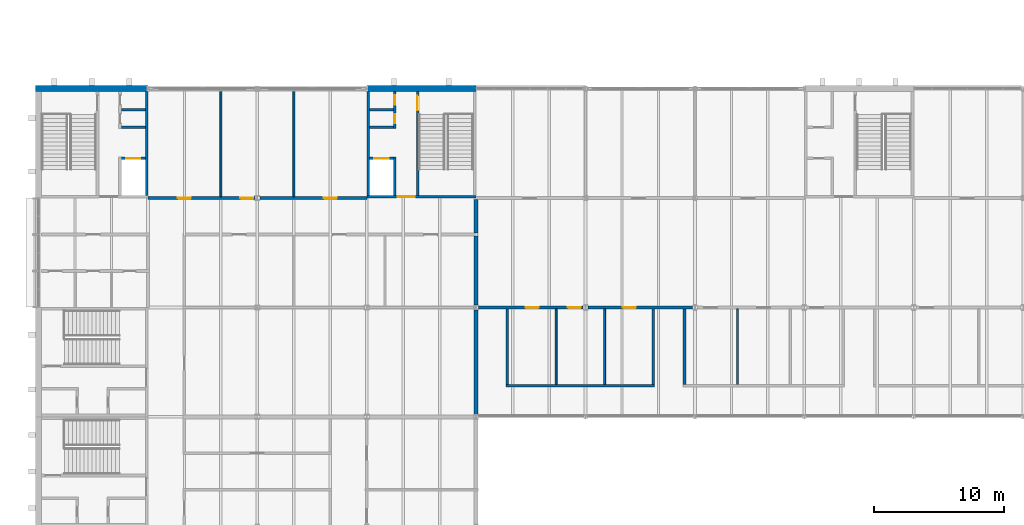
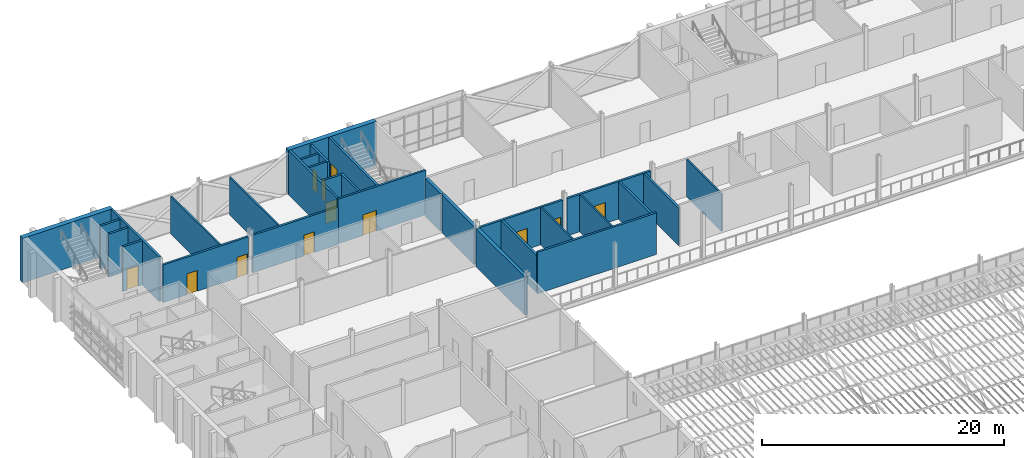
# One storey, part 91 of 129: 30 walls, 12 doors, 12 openings.
"""IFC4 building model written with IfcOpenShell, lengths in metres."""

from ifc_helpers import new_model, si_unit, direction, frame, frame_2d, origin, place, context, subcontext, project, spatial, rectangle, extrude, material, layer, layer_set, type_object, element, fill, save


model = new_model("IFC4")

# Units and contexts
model_context = context("Model", 3, precision=1e-05, world=origin(), true_north=direction((0.0, 1.0)))
body_context = subcontext(model_context, "Body", "Model", "MODEL_VIEW")
ifc_project = project(units=[si_unit("LENGTHUNIT", "METRE"), si_unit("AREAUNIT", "SQUARE_METRE"), si_unit("VOLUMEUNIT", "CUBIC_METRE"), si_unit("PLANEANGLEUNIT", "RADIAN"), si_unit("MASSUNIT", "GRAM", prefix="KILO")], contexts=[model_context])

# Site, building, storey
site_placement = place(None, origin())
site = spatial("IfcSite", under=ifc_project, at=site_placement, CompositionType="ELEMENT")
building_placement = place(site_placement, origin())
building = spatial("IfcBuilding", under=site, at=building_placement, Name="Ardhachandra Cancer Care Centre", CompositionType="ELEMENT")
storey_placement = place(building_placement, frame((0.0, 0.0, 4.5)))
storey = spatial("IfcBuildingStorey", under=building, at=storey_placement, Name="L01", CompositionType="ELEMENT", Elevation=4.5)

# Walls
ifc_material_1 = material(Name="Brick masonry", Category="masonry")
ifc_layer_1 = layer(ifc_material_1, 0.300048828125)
ifc_layer_set_1 = layer_set([ifc_layer_1], Name="Brick masonry")
wall_type_1 = type_object("IfcWallType", Name="COMPARTMENT WALL 300", PredefinedType="SOLIDWALL", material=ifc_layer_set_1)
wall_1_placement = place(storey_placement, frame((44.39990234375, 71.595458984375, 0.0), z_axis=(0.0, 0.0, 1.0), x_axis=(0.0, 1.0, 0.0)))
element("IfcWall", 1, at=wall_1_placement, inside=storey, type_object=wall_type_1, Name="R/wall/L01/v0044400_0071596", PredefinedType="SOLIDWALL", context=body_context, shape_type="SweptSolid", body=[
    extrude(rectangle(XDim=8.009033203125, YDim=0.300048828125, at=frame_2d((4.00439453125, 0.0))), origin(), (0.0, 0.0, 1.0), 3.85009765625),
])
wall_2_placement = place(storey_placement, frame((44.39990234375, 79.99560546875, 0.0), z_axis=(0.0, 0.0, 1.0), x_axis=(0.0, 1.0, 0.0)))
element("IfcWall", 2, at=wall_2_placement, inside=storey, type_object=wall_type_1, Name="R/wall/L01/v0044400_0079996", PredefinedType="SOLIDWALL", context=body_context, shape_type="SweptSolid", body=[
    extrude(rectangle(XDim=5.304443359375, YDim=0.300048828125, at=frame_2d((2.65234375, 0.0))), origin(), (0.0, 0.0, 1.0), 3.85009765625),
])
wall_3_placement = place(storey_placement, frame((44.39990234375, 85.5, 0.0), z_axis=(0.0, 0.0, 1.0), x_axis=(0.0, 1.0, 0.0)))
element("IfcWall", 3, at=wall_3_placement, inside=storey, type_object=wall_type_1, Name="R/wall/L01/v0044400_0085500", PredefinedType="SOLIDWALL", context=body_context, shape_type="SweptSolid", body=[
    extrude(rectangle(XDim=2.60009765625, YDim=0.300048828125, at=frame_2d((1.300048828125, 0.0))), origin(), (0.0, 0.0, 1.0), 3.800048828125),
])
ifc_material_2 = material(Name="Gypsum board corridor partition on steel studs", Category="steel")
ifc_layer_2 = layer(ifc_material_2, 0.199951171875)
ifc_layer_set_2 = layer_set([ifc_layer_2], Name="Gypsum board corridor partition on steel studs")
wall_type_2 = type_object("IfcWallType", Name="CORRIDOR WALL 200", PredefinedType="PARTITIONING", material=ifc_layer_set_2)
wall_4_placement = place(storey_placement, frame((46.699951171875, 73.800048828125, 0.0), z_axis=(0.0, 0.0, 1.0), x_axis=(1.0, 0.0, 0.0)))
element("IfcWall", 4, at=wall_4_placement, inside=storey, type_object=wall_type_2, Name="R/wall/L01/h0073800_0046700", PredefinedType="PARTITIONING", context=body_context, shape_type="SweptSolid", body=[
    extrude(rectangle(XDim=11.400146484375, YDim=0.199951171875, at=frame_2d((5.7001953125, 0.0))), origin(), (0.0, 0.0, 1.0), 4.199951171875),
])

# Wall, openings, doors
wall_5_placement = place(storey_placement, frame((44.595458984375, 79.800048828125, 0.0), z_axis=(0.0, 0.0, 1.0), x_axis=(1.0, 0.0, 0.0)))
wall_5 = element("IfcWall", 5, at=wall_5_placement, inside=storey, type_object=wall_type_2, Name="R/wall/L01/h0079800_0044596", PredefinedType="PARTITIONING", context=body_context, shape_type="SweptSolid", body=[
    extrude(rectangle(XDim=8.004638671875, YDim=0.199951171875, at=frame_2d((4.00244140625, 0.0))), origin(), (0.0, 0.0, 1.0), 3.780517578125),
])
opening_1_placement = place(wall_5_placement, frame((3.6044921875, 0.0, 0.0)))
opening_1 = element("IfcOpeningElement", 6, at=opening_1_placement, cuts=wall_5, Name="Opening L01-0009", PredefinedType="OPENING", context=body_context, shape_type="SweptSolid", body=[
    extrude(rectangle(XDim=1.0, YDim=2.10009765625, at=frame_2d((0.5, 1.050048828125))), frame((0.0, 0.10986328125, 0.0), z_axis=(0.0, -1.0, 0.0), x_axis=(1.0, 0.0, 0.0)), (0.0, 0.0, 1.0), 0.219970703125),
])
opening_2_placement = place(wall_5_placement, frame((6.837890625, 0.0, 0.0)))
opening_2 = element("IfcOpeningElement", 7, at=opening_2_placement, cuts=wall_5, Name="Opening L01-0010", PredefinedType="OPENING", context=body_context, shape_type="SweptSolid", body=[
    extrude(rectangle(XDim=1.0, YDim=2.10009765625, at=frame_2d((0.5, 1.050048828125))), frame((0.0, 0.10986328125, 0.0), z_axis=(0.0, -1.0, 0.0), x_axis=(1.0, 0.0, 0.0)), (0.0, 0.0, 1.0), 0.219970703125),
])
ifc_material_3 = material(Name="Timber fire door with smoke seals", Category="wood")
door_type_1 = type_object("IfcDoorType", Name="FIRE DOOR SINGLE 1000x2100 FD30S", OperationType="NOTDEFINED", PredefinedType="DOOR", material=ifc_material_3)
door_1_placement = place(opening_1_placement, origin())
door_1 = element("IfcDoor", 8, at=door_1_placement, inside=storey, type_object=door_type_1, Name="Door L01-0009", OperationType="SINGLE_SWING_LEFT", OverallHeight=2.10009765625, OverallWidth=1.0, PredefinedType="DOOR", context=body_context, shape_type="SweptSolid", body=[
    extrude(rectangle(XDim=1.0, YDim=2.10009765625, at=frame_2d((0.5, 1.050048828125))), frame((0.0, 0.02490234375, 0.0), z_axis=(0.0, -1.0, 0.0), x_axis=(1.0, 0.0, 0.0)), (0.0, 0.0, 1.0), 0.050048828125),
])
fill(opening_1, door_1)
door_2_placement = place(opening_2_placement, origin())
door_2 = element("IfcDoor", 9, at=door_2_placement, inside=storey, type_object=door_type_1, Name="Door L01-0010", OperationType="SINGLE_SWING_LEFT", OverallHeight=2.10009765625, OverallWidth=1.0, PredefinedType="DOOR", context=body_context, shape_type="SweptSolid", body=[
    extrude(rectangle(XDim=1.0, YDim=2.10009765625, at=frame_2d((0.5, 1.050048828125))), frame((0.0, 0.02490234375, 0.0), z_axis=(0.0, -1.0, 0.0), x_axis=(1.0, 0.0, 0.0)), (0.0, 0.0, 1.0), 0.050048828125),
])
fill(opening_2, door_2)

# Wall, opening, door
wall_6_placement = place(storey_placement, frame((53.0, 79.800048828125, 0.0), z_axis=(0.0, 0.0, 1.0), x_axis=(1.0, 0.0, 0.0)))
wall_6 = element("IfcWall", 10, at=wall_6_placement, inside=storey, type_object=wall_type_2, Name="R/wall/L01/h0079800_0053000", PredefinedType="PARTITIONING", context=body_context, shape_type="SweptSolid", body=[
    extrude(rectangle(XDim=8.0, YDim=0.199951171875, at=frame_2d((4.0, 0.0))), origin(), (0.0, 0.0, 1.0), 3.780517578125),
])
opening_3_placement = place(wall_6_placement, frame((2.666748046875, 0.0, 0.0)))
opening_3 = element("IfcOpeningElement", 11, at=opening_3_placement, cuts=wall_6, Name="Opening L01-0011", PredefinedType="OPENING", context=body_context, shape_type="SweptSolid", body=[
    extrude(rectangle(XDim=1.0, YDim=2.10009765625, at=frame_2d((0.5, 1.050048828125))), frame((0.0, 0.10986328125, 0.0), z_axis=(0.0, -1.0, 0.0), x_axis=(1.0, 0.0, 0.0)), (0.0, 0.0, 1.0), 0.219970703125),
])
door_3_placement = place(opening_3_placement, origin())
door_3 = element("IfcDoor", 12, at=door_3_placement, inside=storey, type_object=door_type_1, Name="Door L01-0011", OperationType="SINGLE_SWING_LEFT", OverallHeight=2.10009765625, OverallWidth=1.0, PredefinedType="DOOR", context=body_context, shape_type="SweptSolid", body=[
    extrude(rectangle(XDim=1.0, YDim=2.10009765625, at=frame_2d((0.5, 1.050048828125))), frame((0.0, 0.02490234375, 0.0), z_axis=(0.0, -1.0, 0.0), x_axis=(1.0, 0.0, 0.0)), (0.0, 0.0, 1.0), 0.050048828125),
])
fill(opening_3, door_3)

# Wall, openings, doors
wall_7_placement = place(storey_placement, frame((19.199951171875, 88.199951171875, 0.0), z_axis=(0.0, 0.0, 1.0), x_axis=(1.0, 0.0, 0.0)))
wall_7 = element("IfcWall", 13, at=wall_7_placement, inside=storey, type_object=wall_type_2, Name="R/wall/L01/h0088200_0019200", PredefinedType="PARTITIONING", context=body_context, shape_type="SweptSolid", body=[
    extrude(rectangle(XDim=8.20458984375, YDim=0.199951171875, at=frame_2d((4.102294921875, 0.0))), origin(), (0.0, 0.0, 1.0), 3.800048828125),
])
opening_4_placement = place(wall_7_placement, frame((2.300048828125, 0.0, 0.0)))
opening_4 = element("IfcOpeningElement", 14, at=opening_4_placement, cuts=wall_7, Name="Opening L01-0026", PredefinedType="OPENING", context=body_context, shape_type="SweptSolid", body=[
    extrude(rectangle(XDim=1.0, YDim=2.10009765625, at=frame_2d((0.5, 1.050048828125))), frame((0.0, 0.10986328125, 0.0), z_axis=(0.0, -1.0, 0.0), x_axis=(1.0, 0.0, 0.0)), (0.0, 0.0, 1.0), 0.219970703125),
])
opening_5_placement = place(wall_7_placement, frame((7.10009765625, 0.0, 0.0)))
opening_5 = element("IfcOpeningElement", 15, at=opening_5_placement, cuts=wall_7, Name="Opening L01-0027", PredefinedType="OPENING", context=body_context, shape_type="SweptSolid", body=[
    extrude(rectangle(XDim=1.0, YDim=2.10009765625, at=frame_2d((0.5, 1.050048828125))), frame((0.0, 0.10986328125, 0.0), z_axis=(0.0, -1.0, 0.0), x_axis=(1.0, 0.0, 0.0)), (0.0, 0.0, 1.0), 0.219970703125),
])
door_4_placement = place(opening_4_placement, origin())
door_4 = element("IfcDoor", 16, at=door_4_placement, inside=storey, type_object=door_type_1, Name="Door L01-0026", OperationType="SINGLE_SWING_RIGHT", OverallHeight=2.10009765625, OverallWidth=1.0, PredefinedType="DOOR", context=body_context, shape_type="SweptSolid", body=[
    extrude(rectangle(XDim=1.0, YDim=2.10009765625, at=frame_2d((0.5, 1.050048828125))), frame((0.0, 0.02490234375, 0.0), z_axis=(0.0, -1.0, 0.0), x_axis=(1.0, 0.0, 0.0)), (0.0, 0.0, 1.0), 0.050048828125),
])
fill(opening_4, door_4)
door_5_placement = place(opening_5_placement, origin())
door_5 = element("IfcDoor", 17, at=door_5_placement, inside=storey, type_object=door_type_1, Name="Door L01-0027", OperationType="SINGLE_SWING_RIGHT", OverallHeight=2.10009765625, OverallWidth=1.0, PredefinedType="DOOR", context=body_context, shape_type="SweptSolid", body=[
    extrude(rectangle(XDim=1.0, YDim=2.10009765625, at=frame_2d((0.5, 1.050048828125))), frame((0.0, 0.02490234375, 0.0), z_axis=(0.0, -1.0, 0.0), x_axis=(1.0, 0.0, 0.0)), (0.0, 0.0, 1.0), 0.050048828125),
])
fill(opening_5, door_5)

# Wall, opening, door
wall_8_placement = place(storey_placement, frame((27.79541015625, 88.199951171875, 0.0), z_axis=(0.0, 0.0, 1.0), x_axis=(1.0, 0.0, 0.0)))
wall_8 = element("IfcWall", 18, at=wall_8_placement, inside=storey, type_object=wall_type_2, Name="R/wall/L01/h0088200_0027796", PredefinedType="PARTITIONING", context=body_context, shape_type="SweptSolid", body=[
    extrude(rectangle(XDim=8.20458984375, YDim=0.199951171875, at=frame_2d((4.102294921875, 0.0))), origin(), (0.0, 0.0, 1.0), 3.800048828125),
])
opening_6_placement = place(wall_8_placement, frame((4.904541015625, 0.0, 0.0)))
opening_6 = element("IfcOpeningElement", 19, at=opening_6_placement, cuts=wall_8, Name="Opening L01-0028", PredefinedType="OPENING", context=body_context, shape_type="SweptSolid", body=[
    extrude(rectangle(XDim=1.0, YDim=2.10009765625, at=frame_2d((0.5, 1.050048828125))), frame((0.0, 0.10986328125, 0.0), z_axis=(0.0, -1.0, 0.0), x_axis=(1.0, 0.0, 0.0)), (0.0, 0.0, 1.0), 0.219970703125),
])
door_6_placement = place(opening_6_placement, origin())
door_6 = element("IfcDoor", 20, at=door_6_placement, inside=storey, type_object=door_type_1, Name="Door L01-0028", OperationType="SINGLE_SWING_LEFT", OverallHeight=2.10009765625, OverallWidth=1.0, PredefinedType="DOOR", context=body_context, shape_type="SweptSolid", body=[
    extrude(rectangle(XDim=1.0, YDim=2.10009765625, at=frame_2d((0.5, 1.050048828125))), frame((0.0, 0.02490234375, 0.0), z_axis=(0.0, -1.0, 0.0), x_axis=(1.0, 0.0, 0.0)), (0.0, 0.0, 1.0), 0.050048828125),
])
fill(opening_6, door_6)

# Walls
for number, where, z_axis, x_axis, name in (
    (21, (46.800048828125, 73.89990234375, 0.0), (0.0, 0.0, 1.0), (0.0, 1.0, 0.0), "R/wall/L01/v0046800_0073900"),
    (22, (58.0, 73.89990234375, 0.0), (0.0, 0.0, 1.0), (0.0, 1.0, 0.0), "R/wall/L01/v0058000_0073900"),
    (23, (60.39990234375, 73.89990234375, 0.0), (0.0, 0.0, 1.0), (0.0, 1.0, 0.0), "R/wall/L01/v0060400_0073900"),
):
    element("IfcWall", number, at=place(storey_placement, frame(where, z_axis=z_axis, x_axis=x_axis)), inside=storey, type_object=wall_type_2, Name=name, PredefinedType="PARTITIONING", context=body_context, shape_type="SweptSolid", body=[
        extrude(rectangle(XDim=5.800048828125, YDim=0.199951171875, at=frame_2d((2.89990234375, 0.0))), origin(), (0.0, 0.0, 1.0), 3.780517578125),
    ])
ifc_material_4 = material(Name="Concrete M40", Category="concrete")
ifc_layer_3 = layer(ifc_material_4, 0.449951171875)
ifc_layer_set_3 = layer_set([ifc_layer_3], Name="Concrete M40")
wall_type_3 = type_object("IfcWallType", Name="Core exterior wall RC 450", PredefinedType="SOLIDWALL", material=ifc_layer_set_3)
wall_9_placement = place(storey_placement, frame((10.574951171875, 96.60009765625, 0.0), z_axis=(0.0, 0.0, 1.0), x_axis=(1.0, 0.0, 0.0)))
element("IfcWall", 24, at=wall_9_placement, inside=storey, type_object=wall_type_3, Name="Core wall K4 FAR", PredefinedType="SOLIDWALL", context=body_context, shape_type="SweptSolid", body=[
    extrude(rectangle(XDim=8.625, YDim=0.449951171875, at=frame_2d((4.3125, 0.0))), origin(), (0.0, 0.0, 1.0), 4.5),
])
wall_10_placement = place(storey_placement, frame((44.39990234375, 96.60009765625, 0.0), z_axis=(0.0, 0.0, 1.0), x_axis=(-1.0, 0.0, 0.0)))
element("IfcWall", 25, at=wall_10_placement, inside=storey, type_object=wall_type_3, Name="Core wall K5 FAR", PredefinedType="SOLIDWALL", context=body_context, shape_type="SweptSolid", body=[
    extrude(rectangle(XDim=8.39990234375, YDim=0.449951171875, at=frame_2d((4.199951171875, 0.0))), origin(), (0.0, 0.0, 1.0), 4.5),
])
ifc_material_5 = material(Name="Concrete M40", Category="concrete")
ifc_layer_4 = layer(ifc_material_5, 0.199951171875)
ifc_layer_set_4 = layer_set([ifc_layer_4], Name="Concrete M40")
wall_type_4 = type_object("IfcWallType", Name="Core wall RC 200", PredefinedType="SOLIDWALL", material=ifc_layer_set_4)
wall_11_placement = place(storey_placement, frame((19.10009765625, 88.39990234375, 0.0), z_axis=(0.0, 0.0, 1.0), x_axis=(0.0, 1.0, 0.0)))
element("IfcWall", 26, at=wall_11_placement, inside=storey, type_object=wall_type_4, Name="Core wall K4 UE", PredefinedType="SOLIDWALL", context=body_context, shape_type="SweptSolid", body=[
    extrude(rectangle(XDim=7.97509765625, YDim=0.199951171875, at=frame_2d((3.987548828125, 0.0))), origin(), (0.0, 0.0, 1.0), 4.5),
])

# Wall, opening, door
wall_12_placement = place(storey_placement, frame((17.14990234375, 91.25, 0.0), z_axis=(0.0, 0.0, 1.0), x_axis=(1.0, 0.0, 0.0)))
wall_12 = element("IfcWall", 27, at=wall_12_placement, inside=storey, type_object=wall_type_4, Name="Core wall K4 W1", PredefinedType="SOLIDWALL", context=body_context, shape_type="SweptSolid", body=[
    extrude(rectangle(XDim=1.85009765625, YDim=0.199951171875, at=frame_2d((0.925048828125, 0.0))), origin(), (0.0, 0.0, 1.0), 4.5),
])
opening_7_placement = place(wall_12_placement, frame((0.375, 0.0, 0.0)))
opening_7 = element("IfcOpeningElement", 28, at=opening_7_placement, cuts=wall_12, Name="Opening L01-K04-3", PredefinedType="OPENING", context=body_context, shape_type="SweptSolid", body=[
    extrude(rectangle(XDim=1.10009765625, YDim=2.10009765625, at=frame_2d((0.550048828125, 1.050048828125))), frame((0.0, 0.10986328125, 0.0), z_axis=(0.0, -1.0, 0.0), x_axis=(1.0, 0.0, 0.0)), (0.0, 0.0, 1.0), 0.219970703125),
])
ifc_material_6 = material(Name="Stainless steel (grade 304)", Category="steel")
door_type_2 = type_object("IfcDoorType", Name="Lift landing door 1100x2100", OperationType="DOUBLE_DOOR_SLIDING", PredefinedType="DOOR", material=ifc_material_6)
door_7_placement = place(opening_7_placement, origin())
door_7 = element("IfcDoor", 29, at=door_7_placement, inside=storey, type_object=door_type_2, Name="Lift landing door LF-K4-1", OperationType="DOUBLE_DOOR_SLIDING", OverallHeight=2.10009765625, OverallWidth=1.10009765625, PredefinedType="DOOR", context=body_context, shape_type="SweptSolid", body=[
    extrude(rectangle(XDim=1.10009765625, YDim=2.10009765625, at=frame_2d((0.550048828125, 1.050048828125))), frame((0.0, 0.02490234375, 0.0), z_axis=(0.0, -1.0, 0.0), x_axis=(1.0, 0.0, 0.0)), (0.0, 0.0, 1.0), 0.050048828125),
])
fill(opening_7, door_7)

# Walls
for number, where, z_axis, x_axis, name in (
    (30, (17.14990234375, 93.625, 0.0), (0.0, 0.0, 1.0), (1.0, 0.0, 0.0), "Core wall K4 W2"),
    (31, (17.14990234375, 94.97509765625, 0.0), (0.0, 0.0, 1.0), (1.0, 0.0, 0.0), "Core wall K4 DIV"),
):
    element("IfcWall", number, at=place(storey_placement, frame(where, z_axis=z_axis, x_axis=x_axis)), inside=storey, type_object=wall_type_4, Name=name, PredefinedType="SOLIDWALL", context=body_context, shape_type="SweptSolid", body=[
        extrude(rectangle(XDim=1.85009765625, YDim=0.199951171875, at=frame_2d((0.925048828125, 0.0))), origin(), (0.0, 0.0, 1.0), 4.35009765625),
    ])

# Wall, opening, door
wall_13_placement = place(storey_placement, frame((44.39990234375, 88.300048828125, 0.0), z_axis=(0.0, 0.0, 1.0), x_axis=(-1.0, 0.0, 0.0)))
wall_13 = element("IfcWall", 32, at=wall_13_placement, inside=storey, type_object=wall_type_4, Name="Core wall K5 ENT", PredefinedType="SOLIDWALL", context=body_context, shape_type="SweptSolid", body=[
    extrude(rectangle(XDim=8.39990234375, YDim=0.199951171875, at=frame_2d((4.199951171875, 0.0))), origin(), (0.0, 0.0, 1.0), 4.5),
])
opening_8_placement = place(wall_13_placement, frame((4.72509765625, 0.0, 0.0)))
opening_8 = element("IfcOpeningElement", 33, at=opening_8_placement, cuts=wall_13, Name="Opening L01-K05-1", PredefinedType="OPENING", context=body_context, shape_type="SweptSolid", body=[
    extrude(rectangle(XDim=1.300048828125, YDim=2.10009765625, at=frame_2d((0.64990234375, 1.050048828125))), frame((0.0, 0.10986328125, 0.0), z_axis=(0.0, -1.0, 0.0), x_axis=(1.0, 0.0, 0.0)), (0.0, 0.0, 1.0), 0.219970703125),
])
ifc_material_7 = material(Name="Steel door set", Category="steel")
door_type_3 = type_object("IfcDoorType", Name="Core entry double door 1300x2100 FD60", OperationType="DOUBLE_DOOR_DOUBLE_SWING", PredefinedType="DOOR", material=ifc_material_7)
door_8_placement = place(opening_8_placement, origin())
door_8 = element("IfcDoor", 34, at=door_8_placement, inside=storey, type_object=door_type_3, Name="Core entry door", OperationType="DOUBLE_DOOR_DOUBLE_SWING", OverallHeight=2.10009765625, OverallWidth=1.300048828125, PredefinedType="DOOR", context=body_context, shape_type="SweptSolid", body=[
    extrude(rectangle(XDim=1.300048828125, YDim=2.10009765625, at=frame_2d((0.64990234375, 1.050048828125))), frame((0.0, 0.02490234375, 0.0), z_axis=(0.0, -1.0, 0.0), x_axis=(1.0, 0.0, 0.0)), (0.0, 0.0, 1.0), 0.050048828125),
])
fill(opening_8, door_8)

# Wall
wall_14_placement = place(storey_placement, frame((36.10009765625, 88.39990234375, 0.0), z_axis=(0.0, 0.0, 1.0), x_axis=(0.0, 1.0, 0.0)))
element("IfcWall", 35, at=wall_14_placement, inside=storey, type_object=wall_type_4, Name="Core wall K5 UE", PredefinedType="SOLIDWALL", context=body_context, shape_type="SweptSolid", body=[
    extrude(rectangle(XDim=7.97509765625, YDim=0.199951171875, at=frame_2d((3.987548828125, 0.0))), origin(), (0.0, 0.0, 1.0), 4.5),
])

# Wall, opening, door
wall_15_placement = place(storey_placement, frame((39.89990234375, 88.39990234375, 0.0), z_axis=(0.0, 0.0, 1.0), x_axis=(0.0, 1.0, 0.0)))
wall_15 = element("IfcWall", 36, at=wall_15_placement, inside=storey, type_object=wall_type_4, Name="Core wall K5 P1", PredefinedType="SOLIDWALL", context=body_context, shape_type="SweptSolid", body=[
    extrude(rectangle(XDim=7.97509765625, YDim=0.199951171875, at=frame_2d((3.987548828125, 0.0))), origin(), (0.0, 0.0, 1.0), 4.5),
])
opening_9_placement = place(wall_15_placement, frame((6.53759765625, 0.0, 0.0)))
opening_9 = element("IfcOpeningElement", 37, at=opening_9_placement, cuts=wall_15, Name="Opening L01-K05-2", PredefinedType="OPENING", context=body_context, shape_type="SweptSolid", body=[
    extrude(rectangle(XDim=1.10009765625, YDim=2.10009765625, at=frame_2d((0.550048828125, 1.050048828125))), frame((0.0, 0.10986328125, 0.0), z_axis=(0.0, -1.0, 0.0), x_axis=(1.0, 0.0, 0.0)), (0.0, 0.0, 1.0), 0.219970703125),
])
ifc_material_8 = material(Name="Steel door set", Category="steel")
door_type_4 = type_object("IfcDoorType", Name="Stair door 1100x2100 FD60S", OperationType="NOTDEFINED", PredefinedType="DOOR", material=ifc_material_8)
door_9_placement = place(opening_9_placement, origin())
door_9 = element("IfcDoor", 38, at=door_9_placement, inside=storey, type_object=door_type_4, Name="Stair door", OperationType="SINGLE_SWING_LEFT", OverallHeight=2.10009765625, OverallWidth=1.10009765625, PredefinedType="DOOR", context=body_context, shape_type="SweptSolid", body=[
    extrude(rectangle(XDim=1.10009765625, YDim=2.10009765625, at=frame_2d((0.550048828125, 1.050048828125))), frame((0.0, 0.02490234375, 0.0), z_axis=(0.0, -1.0, 0.0), x_axis=(1.0, 0.0, 0.0)), (0.0, 0.0, 1.0), 0.050048828125),
])
fill(opening_9, door_9)

# Wall
wall_16_placement = place(storey_placement, frame((38.14990234375, 88.39990234375, 0.0), z_axis=(0.0, 0.0, 1.0), x_axis=(0.0, 1.0, 0.0)))
element("IfcWall", 39, at=wall_16_placement, inside=storey, type_object=wall_type_4, Name="Core wall K5 P2A", PredefinedType="SOLIDWALL", context=body_context, shape_type="SweptSolid", body=[
    extrude(rectangle(XDim=2.9501953125, YDim=0.199951171875, at=frame_2d((1.47509765625, 0.0))), origin(), (0.0, 0.0, 1.0), 4.5),
])

# Wall, openings, doors
wall_17_placement = place(storey_placement, frame((38.14990234375, 93.52490234375, 0.0), z_axis=(0.0, 0.0, 1.0), x_axis=(0.0, 1.0, 0.0)))
wall_17 = element("IfcWall", 40, at=wall_17_placement, inside=storey, type_object=wall_type_4, Name="Core wall K5 P2B", PredefinedType="SOLIDWALL", context=body_context, shape_type="SweptSolid", body=[
    extrude(rectangle(XDim=2.85009765625, YDim=0.199951171875, at=frame_2d((1.425048828125, 0.0))), origin(), (0.0, 0.0, 1.0), 4.35009765625),
])
opening_10_placement = place(wall_17_placement, frame((0.425048828125, 0.0, 0.0)))
opening_10 = element("IfcOpeningElement", 41, at=opening_10_placement, cuts=wall_17, Name="Opening L01-K05-4", PredefinedType="OPENING", context=body_context, shape_type="SweptSolid", body=[
    extrude(rectangle(XDim=0.699951171875, YDim=2.10009765625, at=frame_2d((0.35009765625, 1.050048828125))), frame((0.0, 0.10986328125, 0.0), z_axis=(0.0, -1.0, 0.0), x_axis=(1.0, 0.0, 0.0)), (0.0, 0.0, 1.0), 0.219970703125),
])
opening_11_placement = place(wall_17_placement, frame((1.85009765625, 0.0, 0.0)))
opening_11 = element("IfcOpeningElement", 42, at=opening_11_placement, cuts=wall_17, Name="Opening L01-K05-5", PredefinedType="OPENING", context=body_context, shape_type="SweptSolid", body=[
    extrude(rectangle(XDim=0.699951171875, YDim=2.10009765625, at=frame_2d((0.35009765625, 1.050048828125))), frame((0.0, 0.10986328125, 0.0), z_axis=(0.0, -1.0, 0.0), x_axis=(1.0, 0.0, 0.0)), (0.0, 0.0, 1.0), 0.219970703125),
])
ifc_material_9 = material(Name="Steel door set", Category="steel")
door_type_5 = type_object("IfcDoorType", Name="Riser access door 700x2100 FD120S", OperationType="NOTDEFINED", PredefinedType="DOOR", material=ifc_material_9)
door_10_placement = place(opening_10_placement, origin())
door_10 = element("IfcDoor", 43, at=door_10_placement, inside=storey, type_object=door_type_5, Name="Riser access door", OperationType="SINGLE_SWING_RIGHT", OverallHeight=2.10009765625, OverallWidth=0.699951171875, PredefinedType="DOOR", context=body_context, shape_type="SweptSolid", body=[
    extrude(rectangle(XDim=0.699951171875, YDim=2.10009765625, at=frame_2d((0.35009765625, 1.050048828125))), frame((0.0, 0.02490234375, 0.0), z_axis=(0.0, -1.0, 0.0), x_axis=(1.0, 0.0, 0.0)), (0.0, 0.0, 1.0), 0.050048828125),
])
fill(opening_10, door_10)
door_11_placement = place(opening_11_placement, origin())
door_11 = element("IfcDoor", 44, at=door_11_placement, inside=storey, type_object=door_type_5, Name="Riser access door", OperationType="SINGLE_SWING_LEFT", OverallHeight=2.10009765625, OverallWidth=0.699951171875, PredefinedType="DOOR", context=body_context, shape_type="SweptSolid", body=[
    extrude(rectangle(XDim=0.699951171875, YDim=2.10009765625, at=frame_2d((0.35009765625, 1.050048828125))), frame((0.0, 0.02490234375, 0.0), z_axis=(0.0, -1.0, 0.0), x_axis=(1.0, 0.0, 0.0)), (0.0, 0.0, 1.0), 0.050048828125),
])
fill(opening_11, door_11)

# Wall, opening, door
wall_18_placement = place(storey_placement, frame((38.050048828125, 91.25, 0.0), z_axis=(0.0, 0.0, 1.0), x_axis=(-1.0, 0.0, 0.0)))
wall_18 = element("IfcWall", 45, at=wall_18_placement, inside=storey, type_object=wall_type_4, Name="Core wall K5 W1", PredefinedType="SOLIDWALL", context=body_context, shape_type="SweptSolid", body=[
    extrude(rectangle(XDim=1.85009765625, YDim=0.199951171875, at=frame_2d((0.925048828125, 0.0))), origin(), (0.0, 0.0, 1.0), 4.5),
])
opening_12_placement = place(wall_18_placement, frame((0.375, 0.0, 0.0)))
opening_12 = element("IfcOpeningElement", 46, at=opening_12_placement, cuts=wall_18, Name="Opening L01-K05-3", PredefinedType="OPENING", context=body_context, shape_type="SweptSolid", body=[
    extrude(rectangle(XDim=1.10009765625, YDim=2.10009765625, at=frame_2d((0.550048828125, 1.050048828125))), frame((0.0, 0.10986328125, 0.0), z_axis=(0.0, -1.0, 0.0), x_axis=(1.0, 0.0, 0.0)), (0.0, 0.0, 1.0), 0.219970703125),
])
door_12_placement = place(opening_12_placement, origin())
door_12 = element("IfcDoor", 47, at=door_12_placement, inside=storey, type_object=door_type_2, Name="Lift landing door LF-K5-1", OperationType="DOUBLE_DOOR_SLIDING", OverallHeight=2.10009765625, OverallWidth=1.10009765625, PredefinedType="DOOR", context=body_context, shape_type="SweptSolid", body=[
    extrude(rectangle(XDim=1.10009765625, YDim=2.10009765625, at=frame_2d((0.550048828125, 1.050048828125))), frame((0.0, 0.02490234375, 0.0), z_axis=(0.0, -1.0, 0.0), x_axis=(1.0, 0.0, 0.0)), (0.0, 0.0, 1.0), 0.050048828125),
])
fill(opening_12, door_12)

# Walls
for number, where, z_axis, x_axis, name in (
    (48, (38.050048828125, 93.625, 0.0), (0.0, 0.0, 1.0), (-1.0, 0.0, 0.0), "Core wall K5 W2"),
    (49, (38.050048828125, 94.97509765625, 0.0), (0.0, 0.0, 1.0), (-1.0, 0.0, 0.0), "Core wall K5 DIV"),
):
    element("IfcWall", number, at=place(storey_placement, frame(where, z_axis=z_axis, x_axis=x_axis)), inside=storey, type_object=wall_type_4, Name=name, PredefinedType="SOLIDWALL", context=body_context, shape_type="SweptSolid", body=[
        extrude(rectangle(XDim=1.85009765625, YDim=0.199951171875, at=frame_2d((0.925048828125, 0.0))), origin(), (0.0, 0.0, 1.0), 4.35009765625),
    ])
ifc_material_10 = material(Name="Gypsum board partition on steel studs", Category="steel")
ifc_layer_5 = layer(ifc_material_10, 0.14990234375)
ifc_layer_set_5 = layer_set([ifc_layer_5], Name="Gypsum board partition on steel studs")
wall_type_5 = type_object("IfcWallType", Name="PARTITION 150", PredefinedType="PARTITIONING", material=ifc_layer_set_5)
for number, where, z_axis, x_axis, name in (
    (50, (24.800048828125, 88.300048828125, 0.0), (0.0, 0.0, 1.0), (0.0, 1.0, 0.0), "R/wall/L01/v0024800_0088300"),
    (51, (30.39990234375, 88.300048828125, 0.0), (0.0, 0.0, 1.0), (0.0, 1.0, 0.0), "R/wall/L01/v0030400_0088300"),
):
    element("IfcWall", number, at=place(storey_placement, frame(where, z_axis=z_axis, x_axis=x_axis)), inside=storey, type_object=wall_type_5, Name=name, PredefinedType="PARTITIONING", context=body_context, shape_type="SweptSolid", body=[
        extrude(rectangle(XDim=8.074951171875, YDim=0.14990234375, at=frame_2d((4.03759765625, 0.0))), origin(), (0.0, 0.0, 1.0), 3.800048828125),
    ])
for number, where, z_axis, x_axis, name in (
    (52, (50.533447265625, 73.89990234375, 0.0), (0.0, 0.0, 1.0), (0.0, 1.0, 0.0), "R/wall/L01/v0050533_0073900"),
    (53, (54.2666015625, 73.89990234375, 0.0), (0.0, 0.0, 1.0), (0.0, 1.0, 0.0), "R/wall/L01/v0054267_0073900"),
    (54, (64.466552734375, 73.89990234375, 0.0), (0.0, 0.0, 1.0), (0.0, 1.0, 0.0), "R/wall/L01/v0064467_0073900"),
):
    element("IfcWall", number, at=place(storey_placement, frame(where, z_axis=z_axis, x_axis=x_axis)), inside=storey, type_object=wall_type_5, Name=name, PredefinedType="PARTITIONING", context=body_context, shape_type="SweptSolid", body=[
        extrude(rectangle(XDim=5.800048828125, YDim=0.14990234375, at=frame_2d((2.89990234375, 0.0))), origin(), (0.0, 0.0, 1.0), 3.780517578125),
    ])

save(model, "model.ifc")
